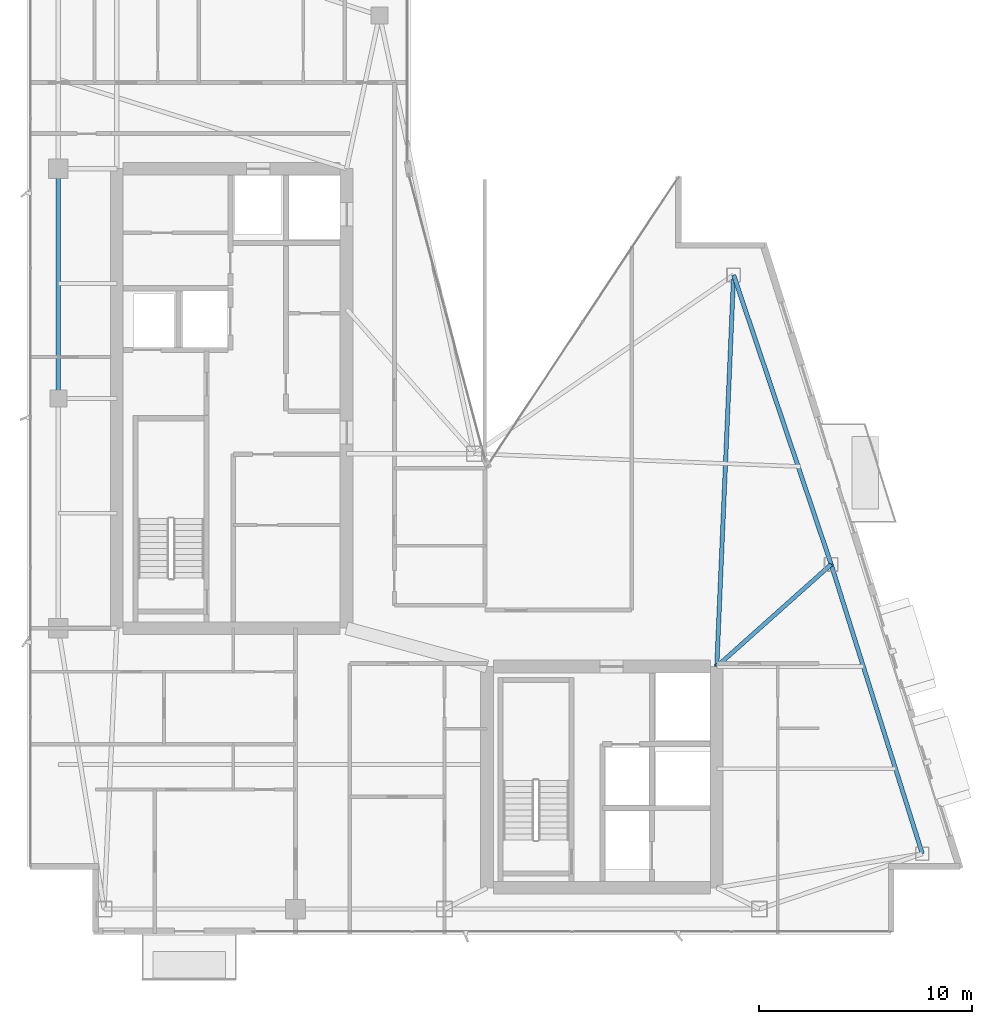
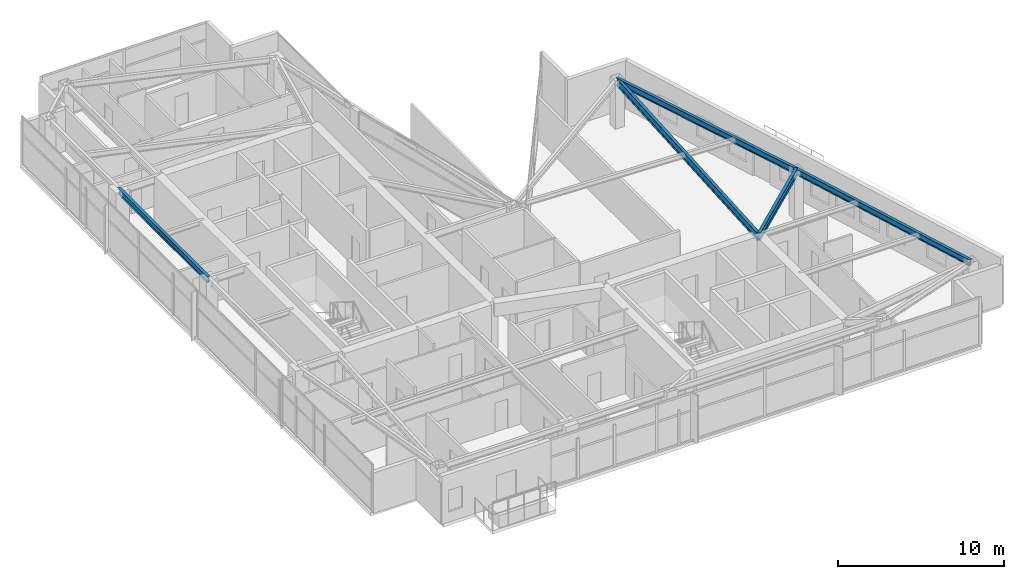
# One storey, part 14 of 27: 5 beams.
"""IFC4 building model written with IfcOpenShell, lengths in metres."""

from ifc_helpers import new_model, si_unit, direction, frame, origin, origin_2d, place, context, subcontext, project, spatial, i_section, extrude, material, material_profile, profile_set, type_object, element, save


model = new_model("IFC4")

# Units and contexts
model_context = context("Model", 3, precision=1e-05, world=origin(), true_north=direction((0.0, 1.0)))
body_context = subcontext(model_context, "Body", "Model", "MODEL_VIEW")
ifc_project = project(units=[si_unit("LENGTHUNIT", "METRE"), si_unit("AREAUNIT", "SQUARE_METRE"), si_unit("VOLUMEUNIT", "CUBIC_METRE"), si_unit("PLANEANGLEUNIT", "RADIAN"), si_unit("MASSUNIT", "GRAM", prefix="KILO")], contexts=[model_context])

# Site, building, storey
site_placement = place(None, origin())
site = spatial("IfcSite", under=ifc_project, at=site_placement, CompositionType="ELEMENT")
building_placement = place(site_placement, origin())
building = spatial("IfcBuilding", under=site, at=building_placement, Name="Calvorn Quay Hotel", CompositionType="ELEMENT")
storey_placement = place(building_placement, frame((0.0, 0.0, 278.699951171875)))
storey = spatial("IfcBuildingStorey", under=building, at=storey_placement, Name="L69", CompositionType="ELEMENT", Elevation=278.699951171875)

# Beams
ifc_material_1 = material(Name="Steel Q355B", Category="steel")
ifc_material_profile_1 = material_profile(ifc_material_1, i_section(OverallWidth=0.199951171875, OverallDepth=0.550048828125, WebThickness=0.010009765625, FlangeThickness=0.01611328125, FilletRadius=0.01806640625, at=origin_2d()), Name="HN550x200x10x16")
ifc_profile_set_1 = profile_set([ifc_material_profile_1], Name="Steel Q355B")
beam_type_1 = type_object("IfcBeamType", Name="BM-GIRD-UPP", PredefinedType="BEAM", material=ifc_profile_set_1)
beam_1_placement = place(storey_placement, frame((32.39990234375, 15.0, 3.2451171875), z_axis=(0.745932853197, 0.66602115471, 0.0), x_axis=(-0.66602115471, 0.745932853197, 0.0)))
element("IfcBeam", 1, at=beam_1_placement, inside=storey, type_object=beam_type_1, Name="Beam BG-L69-E2", PredefinedType="BEAM", context=body_context, shape_type="SweptSolid", body=[
    extrude(i_section(OverallWidth=0.199951171875, OverallDepth=0.550048828125, WebThickness=0.010009765625, FlangeThickness=0.01611328125, FilletRadius=0.01806640625, at=origin_2d()), origin(), (0.0, 0.0, 1.0), 7.20703125),
])
beam_2_placement = place(storey_placement, frame((32.39990234375, 15.0, 3.2451171875), z_axis=(0.042950536419, 0.999077199931, 0.0), x_axis=(-0.999077199931, 0.042950536419, 0.0)))
element("IfcBeam", 2, at=beam_2_placement, inside=storey, type_object=beam_type_1, Name="Beam BG-L69-E3", PredefinedType="BEAM", context=body_context, shape_type="SweptSolid", body=[
    extrude(i_section(OverallWidth=0.199951171875, OverallDepth=0.550048828125, WebThickness=0.010009765625, FlangeThickness=0.01611328125, FilletRadius=0.01806640625, at=origin_2d()), origin(), (0.0, 0.0, 1.0), 18.4169921875),
])
ifc_material_2 = material(Name="Steel Q355B", Category="steel")
ifc_material_profile_2 = material_profile(ifc_material_2, i_section(OverallWidth=0.199951171875, OverallDepth=0.449951171875, WebThickness=0.009033203125, FlangeThickness=0.013916015625, FilletRadius=0.01611328125, at=origin_2d()), Name="HN450x200x9x14")
ifc_profile_set_2 = profile_set([ifc_material_profile_2], Name="Steel Q355B")
beam_type_2 = type_object("IfcBeamType", Name="BM-SPANDREL-Z3", PredefinedType="SPANDREL", material=ifc_profile_set_2)
beam_3_placement = place(storey_placement, frame((1.449951171875, 27.60009765625, 3.295166015625), z_axis=(0.0, 1.0, 0.0), x_axis=(-1.0, 0.0, 0.0)))
element("IfcBeam", 3, at=beam_3_placement, inside=storey, type_object=beam_type_2, Name="Beam BSP-L69-W3", PredefinedType="SPANDREL", context=body_context, shape_type="SweptSolid", body=[
    extrude(i_section(OverallWidth=0.199951171875, OverallDepth=0.449951171875, WebThickness=0.009033203125, FlangeThickness=0.013916015625, FilletRadius=0.01611328125, at=origin_2d()), origin(), (0.0, 0.0, 1.0), 10.7998046875),
])
beam_4_placement = place(storey_placement, frame((42.06103515625, 6.199951171875, 3.295166015625), z_axis=(-0.300518378216, 0.953776024208, 0.0), x_axis=(-0.953776024208, -0.300518378216, 0.0)))
element("IfcBeam", 4, at=beam_4_placement, inside=storey, type_object=beam_type_2, Name="Beam BSP-L69-E1", PredefinedType="SPANDREL", context=body_context, shape_type="SweptSolid", body=[
    extrude(i_section(OverallWidth=0.199951171875, OverallDepth=0.449951171875, WebThickness=0.009033203125, FlangeThickness=0.013916015625, FilletRadius=0.01611328125, at=origin_2d()), origin(), (0.0, 0.0, 1.0), 14.25927734375),
])
beam_5_placement = place(storey_placement, frame((37.77587890625, 19.800048828125, 3.295166015625), z_axis=(-0.319466515944, 0.947597564998, 0.0), x_axis=(-0.947597564998, -0.319466515944, 0.0)))
element("IfcBeam", 5, at=beam_5_placement, inside=storey, type_object=beam_type_2, Name="Beam BSP-L69-E2", PredefinedType="SPANDREL", context=body_context, shape_type="SweptSolid", body=[
    extrude(i_section(OverallWidth=0.199951171875, OverallDepth=0.449951171875, WebThickness=0.009033203125, FlangeThickness=0.013916015625, FilletRadius=0.01611328125, at=origin_2d()), origin(), (0.0, 0.0, 1.0), 14.35205078125),
])

save(model, "model.ifc")
